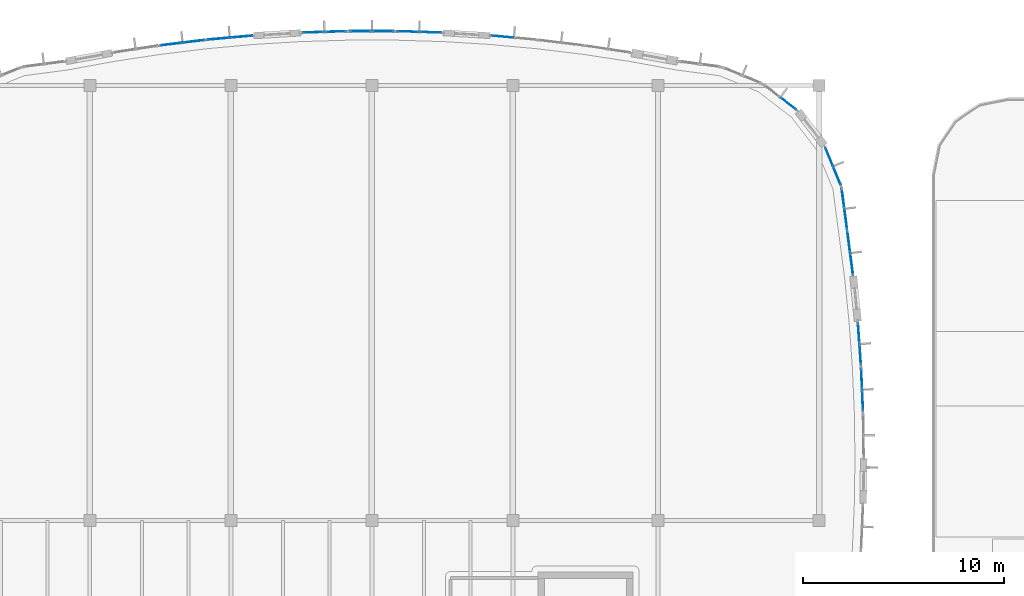
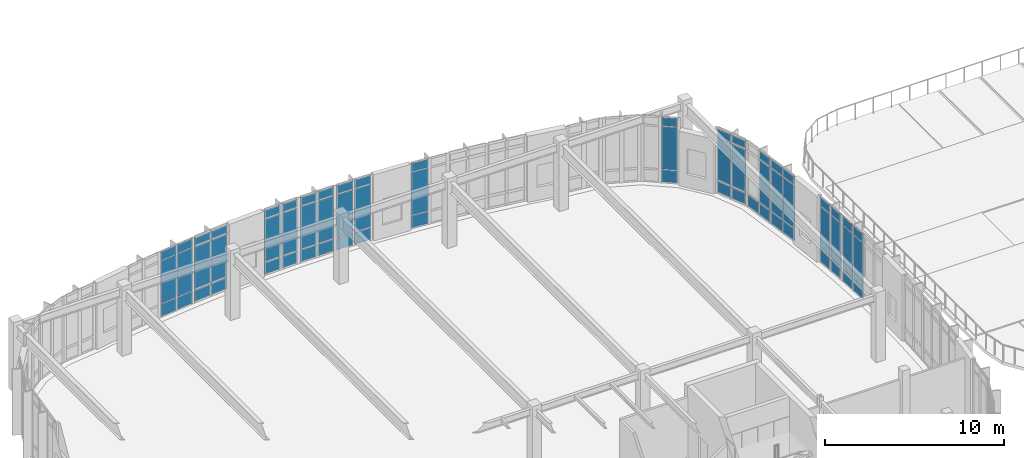
# One storey, part 78 of 120: 64 plates, 12 elements without a shape of their own.
"""IFC4 building model written with IfcOpenShell, lengths in metres."""

from ifc_helpers import new_model, si_unit, direction, frame, origin, origin_2d, place, context, subcontext, project, spatial, rectangle, extrude, material, layer, layer_set, type_object, element, aggregate, save


model = new_model("IFC4")

# Units and contexts
model_context = context("Model", 3, precision=1e-05, world=origin(), true_north=direction((0.0, 1.0)))
body_context = subcontext(model_context, "Body", "Model", "MODEL_VIEW")
ifc_project = project(units=[si_unit("LENGTHUNIT", "METRE"), si_unit("AREAUNIT", "SQUARE_METRE"), si_unit("VOLUMEUNIT", "CUBIC_METRE"), si_unit("PLANEANGLEUNIT", "RADIAN"), si_unit("MASSUNIT", "GRAM", prefix="KILO")], contexts=[model_context])

# Site, building, storey
site_placement = place(None, origin())
site = spatial("IfcSite", under=ifc_project, at=site_placement, CompositionType="ELEMENT")
building_placement = place(site_placement, origin())
building = spatial("IfcBuilding", under=site, at=building_placement, Name="Corveleigh Park Community Centre", CompositionType="ELEMENT")
storey_placement = place(building_placement, origin())
storey = spatial("IfcBuildingStorey", under=building, at=storey_placement, Name="L00", CompositionType="ELEMENT", Elevation=0.0)

# Curtain wall, plates
ifc_material_1 = material(Name="Anodised aluminium 6063-T6", Category="aluminium")
curtain_wall_type = type_object("IfcCurtainWallType", Name="CW-SYS-V2-L00", PredefinedType="NOTDEFINED", material=ifc_material_1)
curtain_wall_1_placement = place(storey_placement, origin())
curtain_wall_1 = element("IfcCurtainWall", 1, at=curtain_wall_1_placement, inside=storey, type_object=curtain_wall_type, Name="V2 L00 Curtain Wall 51", PredefinedType="NOTDEFINED")
ifc_material_2 = material(Name="Low-E double glazing", Category="glass")
ifc_layer_1 = layer(ifc_material_2, 0.028076171875, Name="Low-E double glazing", Category="glass")
ifc_layer_set_1 = layer_set([ifc_layer_1], Name="Low-E double glazing")
plate_type_1 = type_object("IfcPlateType", Name="CWP-GLZ-28", PredefinedType="CURTAIN_PANEL", material=ifc_layer_set_1)
plate_1_placement = place(storey_placement, frame((38.68603515625, 116.821533203125, 0.06005859375), z_axis=(0.0, 0.0, 1.0), x_axis=(0.995872123077, -0.090767364607, 0.0)))
plate_1 = element("IfcPlate", 2, at=plate_1_placement, type_object=plate_type_1, Name="CW03 panel 1.1", PredefinedType="CURTAIN_PANEL", context=body_context, shape_type="SweptSolid", body=[
    extrude(rectangle(XDim=1.062744140625, YDim=0.028076171875, at=origin_2d()), origin(), (0.0, 0.0, 1.0), 0.81005859375),
])
plate_2_placement = place(storey_placement, frame((38.68603515625, 116.821533203125, 0.93017578125), z_axis=(0.0, 0.0, 1.0), x_axis=(0.995872123077, -0.090767364607, 0.0)))
plate_2 = element("IfcPlate", 3, at=plate_2_placement, type_object=plate_type_1, Name="CW03 panel 1.2", PredefinedType="CURTAIN_PANEL", context=body_context, shape_type="SweptSolid", body=[
    extrude(rectangle(XDim=1.062744140625, YDim=0.028076171875, at=origin_2d()), origin(), (0.0, 0.0, 1.0), 2.902099609375),
])
plate_3_placement = place(storey_placement, frame((38.68603515625, 116.821533203125, 3.89208984375), z_axis=(0.0, 0.0, 1.0), x_axis=(0.995872123077, -0.090767364607, 0.0)))
plate_3 = element("IfcPlate", 4, at=plate_3_placement, type_object=plate_type_1, Name="CW03 panel 1.3", PredefinedType="CURTAIN_PANEL", context=body_context, shape_type="SweptSolid", body=[
    extrude(rectangle(XDim=1.062744140625, YDim=0.028076171875, at=origin_2d()), origin(), (0.0, 0.0, 1.0), 0.56005859375),
])
aggregate(curtain_wall_1, [plate_1, plate_2, plate_3])

curtain_wall_2_placement = place(storey_placement, origin())
curtain_wall_2 = element("IfcCurtainWall", 5, at=curtain_wall_2_placement, inside=storey, type_object=curtain_wall_type, Name="V2 L00 Curtain Wall 52", PredefinedType="NOTDEFINED")
plate_4_placement = place(storey_placement, frame((33.98828125, 117.07177734375, 0.06494140625), z_axis=(0.0, 0.0, 1.0), x_axis=(0.999537636318, -0.030405814978, 0.0)))
plate_4 = element("IfcPlate", 6, at=plate_4_placement, type_object=plate_type_1, Name="CW03 panel 1.1", PredefinedType="CURTAIN_PANEL", context=body_context, shape_type="SweptSolid", body=[
    extrude(rectangle(XDim=1.054931640625, YDim=0.028076171875, at=origin_2d()), origin(), (0.0, 0.0, 1.0), 0.802490234375),
])
plate_5_placement = place(storey_placement, frame((33.98828125, 117.07177734375, 0.9326171875), z_axis=(0.0, 0.0, 1.0), x_axis=(0.999537636318, -0.030405814978, 0.0)))
plate_5 = element("IfcPlate", 7, at=plate_5_placement, type_object=plate_type_1, Name="CW03 panel 1.2", PredefinedType="CURTAIN_PANEL", context=body_context, shape_type="SweptSolid", body=[
    extrude(rectangle(XDim=1.054931640625, YDim=0.028076171875, at=origin_2d()), origin(), (0.0, 0.0, 1.0), 2.89697265625),
])
plate_6_placement = place(storey_placement, frame((33.98828125, 117.07177734375, 3.89453125), z_axis=(0.0, 0.0, 1.0), x_axis=(0.999537636318, -0.030405814978, 0.0)))
plate_6 = element("IfcPlate", 8, at=plate_6_placement, type_object=plate_type_1, Name="CW03 panel 1.3", PredefinedType="CURTAIN_PANEL", context=body_context, shape_type="SweptSolid", body=[
    extrude(rectangle(XDim=1.054931640625, YDim=0.028076171875, at=origin_2d()), origin(), (0.0, 0.0, 1.0), 0.552490234375),
])
plate_7_placement = place(storey_placement, frame((35.11767578125, 117.037353515625, 0.06494140625), z_axis=(0.0, 0.0, 1.0), x_axis=(0.999537636318, -0.030405814978, 0.0)))
plate_7 = element("IfcPlate", 9, at=plate_7_placement, type_object=plate_type_1, Name="CW03 panel 2.1", PredefinedType="CURTAIN_PANEL", context=body_context, shape_type="SweptSolid", body=[
    extrude(rectangle(XDim=1.054931640625, YDim=0.028076171875, at=origin_2d()), origin(), (0.0, 0.0, 1.0), 0.802490234375),
])
plate_8_placement = place(storey_placement, frame((35.11767578125, 117.037353515625, 0.9326171875), z_axis=(0.0, 0.0, 1.0), x_axis=(0.999537636318, -0.030405814978, 0.0)))
plate_8 = element("IfcPlate", 10, at=plate_8_placement, type_object=plate_type_1, Name="CW03 panel 2.2", PredefinedType="CURTAIN_PANEL", context=body_context, shape_type="SweptSolid", body=[
    extrude(rectangle(XDim=1.054931640625, YDim=0.028076171875, at=origin_2d()), origin(), (0.0, 0.0, 1.0), 2.89697265625),
])
plate_9_placement = place(storey_placement, frame((35.11767578125, 117.037353515625, 3.89453125), z_axis=(0.0, 0.0, 1.0), x_axis=(0.999537636318, -0.030405814978, 0.0)))
plate_9 = element("IfcPlate", 11, at=plate_9_placement, type_object=plate_type_1, Name="CW03 panel 2.3", PredefinedType="CURTAIN_PANEL", context=body_context, shape_type="SweptSolid", body=[
    extrude(rectangle(XDim=1.054931640625, YDim=0.028076171875, at=origin_2d()), origin(), (0.0, 0.0, 1.0), 0.552490234375),
])
aggregate(curtain_wall_2, [plate_4, plate_5, plate_6, plate_7, plate_8, plate_9])

curtain_wall_3_placement = place(storey_placement, origin())
curtain_wall_3 = element("IfcCurtainWall", 12, at=curtain_wall_3_placement, inside=storey, type_object=curtain_wall_type, Name="V2 L00 Curtain Wall 41", PredefinedType="NOTDEFINED")
ifc_layer_2 = layer(ifc_material_2, 0.031982421875, Name="Low-E double glazing", Category="glass")
ifc_layer_set_2 = layer_set([ifc_layer_2], Name="Low-E double glazing")
plate_type_2 = type_object("IfcPlateType", Name="CWP-GLZ-32", PredefinedType="CURTAIN_PANEL", material=ifc_layer_set_2)
plate_10_placement = place(storey_placement, frame((56.514404296875, 99.84228515625, 0.06005859375), z_axis=(0.0, 0.0, 1.0), x_axis=(0.043572286221, -0.99905027695, 0.0)))
plate_10 = element("IfcPlate", 13, at=plate_10_placement, type_object=plate_type_2, Name="CW03 panel 1.1", PredefinedType="CURTAIN_PANEL", context=body_context, shape_type="SweptSolid", body=[
    extrude(rectangle(XDim=1.004638671875, YDim=0.031982421875, at=origin_2d()), origin(), (0.0, 0.0, 1.0), 0.81005859375),
])
plate_11_placement = place(storey_placement, frame((56.514404296875, 99.84228515625, 0.93017578125), z_axis=(0.0, 0.0, 1.0), x_axis=(0.043572286221, -0.99905027695, 0.0)))
plate_11 = element("IfcPlate", 14, at=plate_11_placement, type_object=plate_type_2, Name="CW03 panel 1.2", PredefinedType="CURTAIN_PANEL", context=body_context, shape_type="SweptSolid", body=[
    extrude(rectangle(XDim=1.004638671875, YDim=0.031982421875, at=origin_2d()), origin(), (0.0, 0.0, 1.0), 2.902099609375),
])
plate_12_placement = place(storey_placement, frame((56.514404296875, 99.84228515625, 3.89208984375), z_axis=(0.0, 0.0, 1.0), x_axis=(0.043572286221, -0.99905027695, 0.0)))
plate_12 = element("IfcPlate", 15, at=plate_12_placement, type_object=plate_type_2, Name="CW03 panel 1.3", PredefinedType="CURTAIN_PANEL", context=body_context, shape_type="SweptSolid", body=[
    extrude(rectangle(XDim=1.004638671875, YDim=0.031982421875, at=origin_2d()), origin(), (0.0, 0.0, 1.0), 0.56005859375),
])
plate_13_placement = place(storey_placement, frame((56.5615234375, 98.7587890625, 0.06005859375), z_axis=(0.0, 0.0, 1.0), x_axis=(0.043572286221, -0.99905027695, 0.0)))
plate_13 = element("IfcPlate", 16, at=plate_13_placement, type_object=plate_type_2, Name="CW03 panel 2.1", PredefinedType="CURTAIN_PANEL", context=body_context, shape_type="SweptSolid", body=[
    extrude(rectangle(XDim=1.004638671875, YDim=0.031982421875, at=origin_2d()), origin(), (0.0, 0.0, 1.0), 0.81005859375),
])
plate_14_placement = place(storey_placement, frame((56.5615234375, 98.7587890625, 0.93017578125), z_axis=(0.0, 0.0, 1.0), x_axis=(0.043572286221, -0.99905027695, 0.0)))
plate_14 = element("IfcPlate", 17, at=plate_14_placement, type_object=plate_type_2, Name="CW03 panel 2.2", PredefinedType="CURTAIN_PANEL", context=body_context, shape_type="SweptSolid", body=[
    extrude(rectangle(XDim=1.004638671875, YDim=0.031982421875, at=origin_2d()), origin(), (0.0, 0.0, 1.0), 2.902099609375),
])
plate_15_placement = place(storey_placement, frame((56.5615234375, 98.7587890625, 3.89208984375), z_axis=(0.0, 0.0, 1.0), x_axis=(0.043572286221, -0.99905027695, 0.0)))
plate_15 = element("IfcPlate", 18, at=plate_15_placement, type_object=plate_type_2, Name="CW03 panel 2.3", PredefinedType="CURTAIN_PANEL", context=body_context, shape_type="SweptSolid", body=[
    extrude(rectangle(XDim=1.004638671875, YDim=0.031982421875, at=origin_2d()), origin(), (0.0, 0.0, 1.0), 0.56005859375),
])
aggregate(curtain_wall_3, [plate_10, plate_11, plate_12, plate_13, plate_14, plate_15])

curtain_wall_4_placement = place(storey_placement, origin())
curtain_wall_4 = element("IfcCurtainWall", 19, at=curtain_wall_4_placement, inside=storey, type_object=curtain_wall_type, Name="V2 L00 Curtain Wall 42", PredefinedType="NOTDEFINED")
plate_16_placement = place(storey_placement, frame((56.367919921875, 102.103759765625, 0.06494140625), z_axis=(0.0, 0.0, 1.0), x_axis=(0.072005120539, -0.997404262381, 0.0)))
plate_16 = element("IfcPlate", 20, at=plate_16_placement, type_object=plate_type_2, Name="CW03 panel 1.1", PredefinedType="CURTAIN_PANEL", context=body_context, shape_type="SweptSolid", body=[
    extrude(rectangle(XDim=0.997314453125, YDim=0.031982421875, at=origin_2d()), origin(), (0.0, 0.0, 1.0), 0.802490234375),
])
plate_17_placement = place(storey_placement, frame((56.367919921875, 102.103759765625, 0.9326171875), z_axis=(0.0, 0.0, 1.0), x_axis=(0.072005120539, -0.997404262381, 0.0)))
plate_17 = element("IfcPlate", 21, at=plate_17_placement, type_object=plate_type_2, Name="CW03 panel 1.2", PredefinedType="CURTAIN_PANEL", context=body_context, shape_type="SweptSolid", body=[
    extrude(rectangle(XDim=0.997314453125, YDim=0.031982421875, at=origin_2d()), origin(), (0.0, 0.0, 1.0), 2.89697265625),
])
plate_18_placement = place(storey_placement, frame((56.367919921875, 102.103759765625, 3.89453125), z_axis=(0.0, 0.0, 1.0), x_axis=(0.072005120539, -0.997404262381, 0.0)))
plate_18 = element("IfcPlate", 22, at=plate_18_placement, type_object=plate_type_2, Name="CW03 panel 1.3", PredefinedType="CURTAIN_PANEL", context=body_context, shape_type="SweptSolid", body=[
    extrude(rectangle(XDim=0.997314453125, YDim=0.031982421875, at=origin_2d()), origin(), (0.0, 0.0, 1.0), 0.552490234375),
])
plate_19_placement = place(storey_placement, frame((56.446044921875, 101.024169921875, 0.06494140625), z_axis=(0.0, 0.0, 1.0), x_axis=(0.072005120539, -0.997404262381, 0.0)))
plate_19 = element("IfcPlate", 23, at=plate_19_placement, type_object=plate_type_2, Name="CW03 panel 2.1", PredefinedType="CURTAIN_PANEL", context=body_context, shape_type="SweptSolid", body=[
    extrude(rectangle(XDim=0.997314453125, YDim=0.031982421875, at=origin_2d()), origin(), (0.0, 0.0, 1.0), 0.802490234375),
])
plate_20_placement = place(storey_placement, frame((56.446044921875, 101.024169921875, 0.9326171875), z_axis=(0.0, 0.0, 1.0), x_axis=(0.072005120539, -0.997404262381, 0.0)))
plate_20 = element("IfcPlate", 24, at=plate_20_placement, type_object=plate_type_2, Name="CW03 panel 2.2", PredefinedType="CURTAIN_PANEL", context=body_context, shape_type="SweptSolid", body=[
    extrude(rectangle(XDim=0.997314453125, YDim=0.031982421875, at=origin_2d()), origin(), (0.0, 0.0, 1.0), 2.89697265625),
])
plate_21_placement = place(storey_placement, frame((56.446044921875, 101.024169921875, 3.89453125), z_axis=(0.0, 0.0, 1.0), x_axis=(0.072005120539, -0.997404262381, 0.0)))
plate_21 = element("IfcPlate", 25, at=plate_21_placement, type_object=plate_type_2, Name="CW03 panel 2.3", PredefinedType="CURTAIN_PANEL", context=body_context, shape_type="SweptSolid", body=[
    extrude(rectangle(XDim=0.997314453125, YDim=0.031982421875, at=origin_2d()), origin(), (0.0, 0.0, 1.0), 0.552490234375),
])
aggregate(curtain_wall_4, [plate_16, plate_17, plate_18, plate_19, plate_20, plate_21])

curtain_wall_5_placement = place(storey_placement, origin())
curtain_wall_5 = element("IfcCurtainWall", 26, at=curtain_wall_5_placement, inside=storey, type_object=curtain_wall_type, Name="V2 L00 Curtain Wall 53", PredefinedType="NOTDEFINED")
plate_22_placement = place(storey_placement, frame((31.635986328125, 117.090087890625, 0.070068359375), z_axis=(0.0, 0.0, 1.0), x_axis=(1.0, 0.0, 0.0)))
plate_22 = element("IfcPlate", 27, at=plate_22_placement, type_object=plate_type_2, Name="CW03 panel 1.1", PredefinedType="CURTAIN_PANEL", context=body_context, shape_type="SweptSolid", body=[
    extrude(rectangle(XDim=1.048095703125, YDim=0.031982421875, at=origin_2d()), origin(), (0.0, 0.0, 1.0), 0.794921875),
])
plate_23_placement = place(storey_placement, frame((31.635986328125, 117.090087890625, 0.93505859375), z_axis=(0.0, 0.0, 1.0), x_axis=(1.0, 0.0, 0.0)))
plate_23 = element("IfcPlate", 28, at=plate_23_placement, type_object=plate_type_2, Name="CW03 panel 1.2", PredefinedType="CURTAIN_PANEL", context=body_context, shape_type="SweptSolid", body=[
    extrude(rectangle(XDim=1.048095703125, YDim=0.031982421875, at=origin_2d()), origin(), (0.0, 0.0, 1.0), 2.89208984375),
])
plate_24_placement = place(storey_placement, frame((31.635986328125, 117.090087890625, 3.89697265625), z_axis=(0.0, 0.0, 1.0), x_axis=(1.0, 0.0, 0.0)))
plate_24 = element("IfcPlate", 29, at=plate_24_placement, type_object=plate_type_2, Name="CW03 panel 1.3", PredefinedType="CURTAIN_PANEL", context=body_context, shape_type="SweptSolid", body=[
    extrude(rectangle(XDim=1.048095703125, YDim=0.031982421875, at=origin_2d()), origin(), (0.0, 0.0, 1.0), 0.544921875),
])
plate_25_placement = place(storey_placement, frame((32.763916015625, 117.090087890625, 0.070068359375), z_axis=(0.0, 0.0, 1.0), x_axis=(1.0, 0.0, 0.0)))
plate_25 = element("IfcPlate", 30, at=plate_25_placement, type_object=plate_type_2, Name="CW03 panel 2.1", PredefinedType="CURTAIN_PANEL", context=body_context, shape_type="SweptSolid", body=[
    extrude(rectangle(XDim=1.048095703125, YDim=0.031982421875, at=origin_2d()), origin(), (0.0, 0.0, 1.0), 0.794921875),
])
plate_26_placement = place(storey_placement, frame((32.763916015625, 117.090087890625, 0.93505859375), z_axis=(0.0, 0.0, 1.0), x_axis=(1.0, 0.0, 0.0)))
plate_26 = element("IfcPlate", 31, at=plate_26_placement, type_object=plate_type_2, Name="CW03 panel 2.2", PredefinedType="CURTAIN_PANEL", context=body_context, shape_type="SweptSolid", body=[
    extrude(rectangle(XDim=1.048095703125, YDim=0.031982421875, at=origin_2d()), origin(), (0.0, 0.0, 1.0), 2.89208984375),
])
plate_27_placement = place(storey_placement, frame((32.763916015625, 117.090087890625, 3.89697265625), z_axis=(0.0, 0.0, 1.0), x_axis=(1.0, 0.0, 0.0)))
plate_27 = element("IfcPlate", 32, at=plate_27_placement, type_object=plate_type_2, Name="CW03 panel 2.3", PredefinedType="CURTAIN_PANEL", context=body_context, shape_type="SweptSolid", body=[
    extrude(rectangle(XDim=1.048095703125, YDim=0.031982421875, at=origin_2d()), origin(), (0.0, 0.0, 1.0), 0.544921875),
])
aggregate(curtain_wall_5, [plate_22, plate_23, plate_24, plate_25, plate_26, plate_27])

curtain_wall_6_placement = place(storey_placement, origin())
curtain_wall_6 = element("IfcCurtainWall", 33, at=curtain_wall_6_placement, inside=storey, type_object=curtain_wall_type, Name="V2 L00 Curtain Wall 54", PredefinedType="NOTDEFINED")
plate_28_placement = place(storey_placement, frame((29.28466796875, 117.037353515625, 0.074951171875), z_axis=(0.0, 0.0, 1.0), x_axis=(0.999537636318, 0.030405814978, 0.0)))
plate_28 = element("IfcPlate", 34, at=plate_28_placement, type_object=plate_type_2, Name="CW03 panel 1.1", PredefinedType="CURTAIN_PANEL", context=body_context, shape_type="SweptSolid", body=[
    extrude(rectangle(XDim=1.0400390625, YDim=0.031982421875, at=origin_2d()), origin(), (0.0, 0.0, 1.0), 0.78759765625),
])
plate_29_placement = place(storey_placement, frame((29.28466796875, 117.037353515625, 0.9375), z_axis=(0.0, 0.0, 1.0), x_axis=(0.999537636318, 0.030405814978, 0.0)))
plate_29 = element("IfcPlate", 35, at=plate_29_placement, type_object=plate_type_2, Name="CW03 panel 1.2", PredefinedType="CURTAIN_PANEL", context=body_context, shape_type="SweptSolid", body=[
    extrude(rectangle(XDim=1.0400390625, YDim=0.031982421875, at=origin_2d()), origin(), (0.0, 0.0, 1.0), 2.886962890625),
])
plate_30_placement = place(storey_placement, frame((29.28466796875, 117.037353515625, 3.8994140625), z_axis=(0.0, 0.0, 1.0), x_axis=(0.999537636318, 0.030405814978, 0.0)))
plate_30 = element("IfcPlate", 36, at=plate_30_placement, type_object=plate_type_2, Name="CW03 panel 1.3", PredefinedType="CURTAIN_PANEL", context=body_context, shape_type="SweptSolid", body=[
    extrude(rectangle(XDim=1.0400390625, YDim=0.031982421875, at=origin_2d()), origin(), (0.0, 0.0, 1.0), 0.53759765625),
])
plate_31_placement = place(storey_placement, frame((30.4091796875, 117.071533203125, 0.074951171875), z_axis=(0.0, 0.0, 1.0), x_axis=(0.999537636318, 0.030405814978, 0.0)))
plate_31 = element("IfcPlate", 37, at=plate_31_placement, type_object=plate_type_2, Name="CW03 panel 2.1", PredefinedType="CURTAIN_PANEL", context=body_context, shape_type="SweptSolid", body=[
    extrude(rectangle(XDim=1.0400390625, YDim=0.031982421875, at=origin_2d()), origin(), (0.0, 0.0, 1.0), 0.78759765625),
])
plate_32_placement = place(storey_placement, frame((30.4091796875, 117.071533203125, 0.9375), z_axis=(0.0, 0.0, 1.0), x_axis=(0.999537636318, 0.030405814978, 0.0)))
plate_32 = element("IfcPlate", 38, at=plate_32_placement, type_object=plate_type_2, Name="CW03 panel 2.2", PredefinedType="CURTAIN_PANEL", context=body_context, shape_type="SweptSolid", body=[
    extrude(rectangle(XDim=1.0400390625, YDim=0.031982421875, at=origin_2d()), origin(), (0.0, 0.0, 1.0), 2.886962890625),
])
plate_33_placement = place(storey_placement, frame((30.4091796875, 117.071533203125, 3.8994140625), z_axis=(0.0, 0.0, 1.0), x_axis=(0.999537636318, 0.030405814978, 0.0)))
plate_33 = element("IfcPlate", 39, at=plate_33_placement, type_object=plate_type_2, Name="CW03 panel 2.3", PredefinedType="CURTAIN_PANEL", context=body_context, shape_type="SweptSolid", body=[
    extrude(rectangle(XDim=1.0400390625, YDim=0.031982421875, at=origin_2d()), origin(), (0.0, 0.0, 1.0), 0.53759765625),
])
aggregate(curtain_wall_6, [plate_28, plate_29, plate_30, plate_31, plate_32, plate_33])

curtain_wall_7_placement = place(storey_placement, origin())
curtain_wall_7 = element("IfcCurtainWall", 40, at=curtain_wall_7_placement, inside=storey, type_object=curtain_wall_type, Name="V2 L00 Curtain Wall 43", PredefinedType="NOTDEFINED")
ifc_layer_3 = layer(ifc_material_2, 0.035888671875, Name="Low-E double glazing", Category="glass")
ifc_layer_set_3 = layer_set([ifc_layer_3], Name="Low-E double glazing")
plate_type_3 = type_object("IfcPlateType", Name="CWP-GLZ-36", PredefinedType="CURTAIN_PANEL", material=ifc_layer_set_3)
plate_34_placement = place(storey_placement, frame((55.876220703125, 106.62060546875, 0.070068359375), z_axis=(0.0, 0.0, 1.0), x_axis=(0.13004118961, -0.991508592502, 0.0)))
plate_34 = element("IfcPlate", 41, at=plate_34_placement, type_object=plate_type_3, Name="CW03 panel 1.1", PredefinedType="CURTAIN_PANEL", context=body_context, shape_type="SweptSolid", body=[
    extrude(rectangle(XDim=1.03662109375, YDim=0.035888671875, at=origin_2d()), origin(), (0.0, 0.0, 1.0), 0.794921875),
])
plate_35_placement = place(storey_placement, frame((55.876220703125, 106.62060546875, 0.93505859375), z_axis=(0.0, 0.0, 1.0), x_axis=(0.13004118961, -0.991508592502, 0.0)))
plate_35 = element("IfcPlate", 42, at=plate_35_placement, type_object=plate_type_3, Name="CW03 panel 1.2", PredefinedType="CURTAIN_PANEL", context=body_context, shape_type="SweptSolid", body=[
    extrude(rectangle(XDim=1.03662109375, YDim=0.035888671875, at=origin_2d()), origin(), (0.0, 0.0, 1.0), 2.89208984375),
])
plate_36_placement = place(storey_placement, frame((55.876220703125, 106.62060546875, 3.89697265625), z_axis=(0.0, 0.0, 1.0), x_axis=(0.13004118961, -0.991508592502, 0.0)))
plate_36 = element("IfcPlate", 43, at=plate_36_placement, type_object=plate_type_3, Name="CW03 panel 1.3", PredefinedType="CURTAIN_PANEL", context=body_context, shape_type="SweptSolid", body=[
    extrude(rectangle(XDim=1.03662109375, YDim=0.035888671875, at=origin_2d()), origin(), (0.0, 0.0, 1.0), 0.544921875),
])
plate_37_placement = place(storey_placement, frame((56.018798828125, 105.533447265625, 0.070068359375), z_axis=(0.0, 0.0, 1.0), x_axis=(0.13004118961, -0.991508592502, 0.0)))
plate_37 = element("IfcPlate", 44, at=plate_37_placement, type_object=plate_type_3, Name="CW03 panel 2.1", PredefinedType="CURTAIN_PANEL", context=body_context, shape_type="SweptSolid", body=[
    extrude(rectangle(XDim=1.03662109375, YDim=0.035888671875, at=origin_2d()), origin(), (0.0, 0.0, 1.0), 0.794921875),
])
plate_38_placement = place(storey_placement, frame((56.018798828125, 105.533447265625, 0.93505859375), z_axis=(0.0, 0.0, 1.0), x_axis=(0.13004118961, -0.991508592502, 0.0)))
plate_38 = element("IfcPlate", 45, at=plate_38_placement, type_object=plate_type_3, Name="CW03 panel 2.2", PredefinedType="CURTAIN_PANEL", context=body_context, shape_type="SweptSolid", body=[
    extrude(rectangle(XDim=1.03662109375, YDim=0.035888671875, at=origin_2d()), origin(), (0.0, 0.0, 1.0), 2.89208984375),
])
plate_39_placement = place(storey_placement, frame((56.018798828125, 105.533447265625, 3.89697265625), z_axis=(0.0, 0.0, 1.0), x_axis=(0.13004118961, -0.991508592502, 0.0)))
plate_39 = element("IfcPlate", 46, at=plate_39_placement, type_object=plate_type_3, Name="CW03 panel 2.3", PredefinedType="CURTAIN_PANEL", context=body_context, shape_type="SweptSolid", body=[
    extrude(rectangle(XDim=1.03662109375, YDim=0.035888671875, at=origin_2d()), origin(), (0.0, 0.0, 1.0), 0.544921875),
])
aggregate(curtain_wall_7, [plate_34, plate_35, plate_36, plate_37, plate_38, plate_39])

curtain_wall_8_placement = place(storey_placement, origin())
curtain_wall_8 = element("IfcCurtainWall", 47, at=curtain_wall_8_placement, inside=storey, type_object=curtain_wall_type, Name="V2 L00 Curtain Wall 44", PredefinedType="NOTDEFINED")
plate_40_placement = place(storey_placement, frame((55.59033203125, 108.7919921875, 0.074951171875), z_axis=(0.0, 0.0, 1.0), x_axis=(0.130430498525, -0.99145745499, 0.0)))
plate_40 = element("IfcPlate", 48, at=plate_40_placement, type_object=plate_type_3, Name="CW03 panel 1.1", PredefinedType="CURTAIN_PANEL", context=body_context, shape_type="SweptSolid", body=[
    extrude(rectangle(XDim=0.979736328125, YDim=0.035888671875, at=origin_2d()), origin(), (0.0, 0.0, 1.0), 0.78759765625),
])
plate_41_placement = place(storey_placement, frame((55.7265625, 107.756103515625, 0.074951171875), z_axis=(0.0, 0.0, 1.0), x_axis=(0.130430498525, -0.99145745499, 0.0)))
plate_41 = element("IfcPlate", 49, at=plate_41_placement, type_object=plate_type_3, Name="CW03 panel 2.1", PredefinedType="CURTAIN_PANEL", context=body_context, shape_type="SweptSolid", body=[
    extrude(rectangle(XDim=0.979736328125, YDim=0.035888671875, at=origin_2d()), origin(), (0.0, 0.0, 1.0), 0.78759765625),
])
plate_42_placement = place(storey_placement, frame((55.7265625, 107.756103515625, 0.9375), z_axis=(0.0, 0.0, 1.0), x_axis=(0.130430498525, -0.99145745499, 0.0)))
plate_42 = element("IfcPlate", 50, at=plate_42_placement, type_object=plate_type_3, Name="CW03 panel 2.2", PredefinedType="CURTAIN_PANEL", context=body_context, shape_type="SweptSolid", body=[
    extrude(rectangle(XDim=0.979736328125, YDim=0.035888671875, at=origin_2d()), origin(), (0.0, 0.0, 1.0), 2.886962890625),
])
plate_43_placement = place(storey_placement, frame((55.7265625, 107.756103515625, 3.8994140625), z_axis=(0.0, 0.0, 1.0), x_axis=(0.130430498525, -0.99145745499, 0.0)))
plate_43 = element("IfcPlate", 51, at=plate_43_placement, type_object=plate_type_3, Name="CW03 panel 2.3", PredefinedType="CURTAIN_PANEL", context=body_context, shape_type="SweptSolid", body=[
    extrude(rectangle(XDim=0.979736328125, YDim=0.035888671875, at=origin_2d()), origin(), (0.0, 0.0, 1.0), 0.53759765625),
])
aggregate(curtain_wall_8, [plate_40, plate_41, plate_42, plate_43])

curtain_wall_9_placement = place(storey_placement, origin())
curtain_wall_9 = element("IfcCurtainWall", 52, at=curtain_wall_9_placement, inside=storey, type_object=curtain_wall_type, Name="V2 L00 Curtain Wall 55", PredefinedType="NOTDEFINED")
plate_44_placement = place(storey_placement, frame((24.58349609375, 116.71826171875, 0.080078125), z_axis=(0.0, 0.0, 1.0), x_axis=(0.995872123077, 0.090767364607, 0.0)))
plate_44 = element("IfcPlate", 53, at=plate_44_placement, type_object=plate_type_3, Name="CW03 panel 1.1", PredefinedType="CURTAIN_PANEL", context=body_context, shape_type="SweptSolid", body=[
    extrude(rectangle(XDim=1.077880859375, YDim=0.035888671875, at=origin_2d()), origin(), (0.0, 0.0, 1.0), 0.780029296875),
])
plate_45_placement = place(storey_placement, frame((24.58349609375, 116.71826171875, 0.93994140625), z_axis=(0.0, 0.0, 1.0), x_axis=(0.995872123077, 0.090767364607, 0.0)))
plate_45 = element("IfcPlate", 54, at=plate_45_placement, type_object=plate_type_3, Name="CW03 panel 1.2", PredefinedType="CURTAIN_PANEL", context=body_context, shape_type="SweptSolid", body=[
    extrude(rectangle(XDim=1.077880859375, YDim=0.035888671875, at=origin_2d()), origin(), (0.0, 0.0, 1.0), 2.882080078125),
])
plate_46_placement = place(storey_placement, frame((24.58349609375, 116.71826171875, 3.90185546875), z_axis=(0.0, 0.0, 1.0), x_axis=(0.995872123077, 0.090767364607, 0.0)))
plate_46 = element("IfcPlate", 55, at=plate_46_placement, type_object=plate_type_3, Name="CW03 panel 1.3", PredefinedType="CURTAIN_PANEL", context=body_context, shape_type="SweptSolid", body=[
    extrude(rectangle(XDim=1.077880859375, YDim=0.035888671875, at=origin_2d()), origin(), (0.0, 0.0, 1.0), 0.530029296875),
])
plate_47_placement = place(storey_placement, frame((25.716552734375, 116.821533203125, 0.080078125), z_axis=(0.0, 0.0, 1.0), x_axis=(0.995872123077, 0.090767364607, 0.0)))
plate_47 = element("IfcPlate", 56, at=plate_47_placement, type_object=plate_type_3, Name="CW03 panel 2.1", PredefinedType="CURTAIN_PANEL", context=body_context, shape_type="SweptSolid", body=[
    extrude(rectangle(XDim=1.077880859375, YDim=0.035888671875, at=origin_2d()), origin(), (0.0, 0.0, 1.0), 0.780029296875),
])
plate_48_placement = place(storey_placement, frame((25.716552734375, 116.821533203125, 0.93994140625), z_axis=(0.0, 0.0, 1.0), x_axis=(0.995872123077, 0.090767364607, 0.0)))
plate_48 = element("IfcPlate", 57, at=plate_48_placement, type_object=plate_type_3, Name="CW03 panel 2.2", PredefinedType="CURTAIN_PANEL", context=body_context, shape_type="SweptSolid", body=[
    extrude(rectangle(XDim=1.077880859375, YDim=0.035888671875, at=origin_2d()), origin(), (0.0, 0.0, 1.0), 2.882080078125),
])
plate_49_placement = place(storey_placement, frame((25.716552734375, 116.821533203125, 3.90185546875), z_axis=(0.0, 0.0, 1.0), x_axis=(0.995872123077, 0.090767364607, 0.0)))
plate_49 = element("IfcPlate", 58, at=plate_49_placement, type_object=plate_type_3, Name="CW03 panel 2.3", PredefinedType="CURTAIN_PANEL", context=body_context, shape_type="SweptSolid", body=[
    extrude(rectangle(XDim=1.077880859375, YDim=0.035888671875, at=origin_2d()), origin(), (0.0, 0.0, 1.0), 0.530029296875),
])
aggregate(curtain_wall_9, [plate_44, plate_45, plate_46, plate_47, plate_48, plate_49])

curtain_wall_10_placement = place(storey_placement, origin())
curtain_wall_10 = element("IfcCurtainWall", 59, at=curtain_wall_10_placement, inside=storey, type_object=curtain_wall_type, Name="V2 L00 Curtain Wall 56", PredefinedType="NOTDEFINED")
plate_50_placement = place(storey_placement, frame((22.245849609375, 116.452392578125, 0.06005859375), z_axis=(0.0, 0.0, 1.0), x_axis=(0.992687221046, 0.120714875524, 0.0)))
plate_50 = element("IfcPlate", 60, at=plate_50_placement, type_object=plate_type_3, Name="CW03 panel 1.1", PredefinedType="CURTAIN_PANEL", context=body_context, shape_type="SweptSolid", body=[
    extrude(rectangle(XDim=1.070556640625, YDim=0.035888671875, at=origin_2d()), origin(), (0.0, 0.0, 1.0), 0.81005859375),
])
plate_51_placement = place(storey_placement, frame((22.245849609375, 116.452392578125, 0.93017578125), z_axis=(0.0, 0.0, 1.0), x_axis=(0.992687221046, 0.120714875524, 0.0)))
plate_51 = element("IfcPlate", 61, at=plate_51_placement, type_object=plate_type_3, Name="CW03 panel 1.2", PredefinedType="CURTAIN_PANEL", context=body_context, shape_type="SweptSolid", body=[
    extrude(rectangle(XDim=1.070556640625, YDim=0.035888671875, at=origin_2d()), origin(), (0.0, 0.0, 1.0), 2.902099609375),
])
plate_52_placement = place(storey_placement, frame((22.245849609375, 116.452392578125, 3.89208984375), z_axis=(0.0, 0.0, 1.0), x_axis=(0.992687221046, 0.120714875524, 0.0)))
plate_52 = element("IfcPlate", 62, at=plate_52_placement, type_object=plate_type_3, Name="CW03 panel 1.3", PredefinedType="CURTAIN_PANEL", context=body_context, shape_type="SweptSolid", body=[
    extrude(rectangle(XDim=1.070556640625, YDim=0.035888671875, at=origin_2d()), origin(), (0.0, 0.0, 1.0), 0.56005859375),
])
plate_53_placement = place(storey_placement, frame((23.373046875, 116.589599609375, 0.06005859375), z_axis=(0.0, 0.0, 1.0), x_axis=(0.992687221046, 0.120714875524, 0.0)))
plate_53 = element("IfcPlate", 63, at=plate_53_placement, type_object=plate_type_3, Name="CW03 panel 2.1", PredefinedType="CURTAIN_PANEL", context=body_context, shape_type="SweptSolid", body=[
    extrude(rectangle(XDim=1.070556640625, YDim=0.035888671875, at=origin_2d()), origin(), (0.0, 0.0, 1.0), 0.81005859375),
])
plate_54_placement = place(storey_placement, frame((23.373046875, 116.589599609375, 0.93017578125), z_axis=(0.0, 0.0, 1.0), x_axis=(0.992687221046, 0.120714875524, 0.0)))
plate_54 = element("IfcPlate", 64, at=plate_54_placement, type_object=plate_type_3, Name="CW03 panel 2.2", PredefinedType="CURTAIN_PANEL", context=body_context, shape_type="SweptSolid", body=[
    extrude(rectangle(XDim=1.070556640625, YDim=0.035888671875, at=origin_2d()), origin(), (0.0, 0.0, 1.0), 2.902099609375),
])
plate_55_placement = place(storey_placement, frame((23.373046875, 116.589599609375, 3.89208984375), z_axis=(0.0, 0.0, 1.0), x_axis=(0.992687221046, 0.120714875524, 0.0)))
plate_55 = element("IfcPlate", 65, at=plate_55_placement, type_object=plate_type_3, Name="CW03 panel 2.3", PredefinedType="CURTAIN_PANEL", context=body_context, shape_type="SweptSolid", body=[
    extrude(rectangle(XDim=1.070556640625, YDim=0.035888671875, at=origin_2d()), origin(), (0.0, 0.0, 1.0), 0.56005859375),
])
aggregate(curtain_wall_10, [plate_50, plate_51, plate_52, plate_53, plate_54, plate_55])

curtain_wall_11_placement = place(storey_placement, origin())
curtain_wall_11 = element("IfcCurtainWall", 66, at=curtain_wall_11_placement, inside=storey, type_object=curtain_wall_type, Name="V2 L00 Curtain Wall 45", PredefinedType="NOTDEFINED")
ifc_layer_4 = layer(ifc_material_2, 0.0400390625, Name="Low-E double glazing", Category="glass")
ifc_layer_set_4 = layer_set([ifc_layer_4], Name="Low-E double glazing")
plate_type_4 = type_object("IfcPlateType", Name="CWP-GLZ-40", PredefinedType="CURTAIN_PANEL", material=ifc_layer_set_4)
plate_56_placement = place(storey_placement, frame((54.8974609375, 110.8623046875, 0.080078125), z_axis=(0.0, 0.0, 1.0), x_axis=(0.382946568059, -0.923770494231, 0.0)))
plate_56 = element("IfcPlate", 67, at=plate_56_placement, type_object=plate_type_4, Name="CW03 panel 1.1", PredefinedType="CURTAIN_PANEL", context=body_context, shape_type="SweptSolid", body=[
    extrude(rectangle(XDim=0.959228515625, YDim=0.0400390625, at=origin_2d()), origin(), (0.0, 0.0, 1.0), 0.780029296875),
])
plate_57_placement = place(storey_placement, frame((54.8974609375, 110.8623046875, 0.93994140625), z_axis=(0.0, 0.0, 1.0), x_axis=(0.382946568059, -0.923770494231, 0.0)))
plate_57 = element("IfcPlate", 68, at=plate_57_placement, type_object=plate_type_4, Name="CW03 panel 1.2", PredefinedType="CURTAIN_PANEL", context=body_context, shape_type="SweptSolid", body=[
    extrude(rectangle(XDim=0.959228515625, YDim=0.0400390625, at=origin_2d()), origin(), (0.0, 0.0, 1.0), 2.882080078125),
])
plate_58_placement = place(storey_placement, frame((54.8974609375, 110.8623046875, 3.90185546875), z_axis=(0.0, 0.0, 1.0), x_axis=(0.382946568059, -0.923770494231, 0.0)))
plate_58 = element("IfcPlate", 69, at=plate_58_placement, type_object=plate_type_4, Name="CW03 panel 1.3", PredefinedType="CURTAIN_PANEL", context=body_context, shape_type="SweptSolid", body=[
    extrude(rectangle(XDim=0.959228515625, YDim=0.0400390625, at=origin_2d()), origin(), (0.0, 0.0, 1.0), 0.530029296875),
])
plate_59_placement = place(storey_placement, frame((55.29150390625, 109.91162109375, 0.080078125), z_axis=(0.0, 0.0, 1.0), x_axis=(0.382946568059, -0.923770494231, 0.0)))
plate_59 = element("IfcPlate", 70, at=plate_59_placement, type_object=plate_type_4, Name="CW03 panel 2.1", PredefinedType="CURTAIN_PANEL", context=body_context, shape_type="SweptSolid", body=[
    extrude(rectangle(XDim=0.959228515625, YDim=0.0400390625, at=origin_2d()), origin(), (0.0, 0.0, 1.0), 0.780029296875),
])
plate_60_placement = place(storey_placement, frame((55.29150390625, 109.91162109375, 0.93994140625), z_axis=(0.0, 0.0, 1.0), x_axis=(0.382946568059, -0.923770494231, 0.0)))
plate_60 = element("IfcPlate", 71, at=plate_60_placement, type_object=plate_type_4, Name="CW03 panel 2.2", PredefinedType="CURTAIN_PANEL", context=body_context, shape_type="SweptSolid", body=[
    extrude(rectangle(XDim=0.959228515625, YDim=0.0400390625, at=origin_2d()), origin(), (0.0, 0.0, 1.0), 2.882080078125),
])
plate_61_placement = place(storey_placement, frame((55.29150390625, 109.91162109375, 3.90185546875), z_axis=(0.0, 0.0, 1.0), x_axis=(0.382946568059, -0.923770494231, 0.0)))
plate_61 = element("IfcPlate", 72, at=plate_61_placement, type_object=plate_type_4, Name="CW03 panel 2.3", PredefinedType="CURTAIN_PANEL", context=body_context, shape_type="SweptSolid", body=[
    extrude(rectangle(XDim=0.959228515625, YDim=0.0400390625, at=origin_2d()), origin(), (0.0, 0.0, 1.0), 0.530029296875),
])
aggregate(curtain_wall_11, [plate_56, plate_57, plate_58, plate_59, plate_60, plate_61])

curtain_wall_12_placement = place(storey_placement, origin())
curtain_wall_12 = element("IfcCurtainWall", 73, at=curtain_wall_12_placement, inside=storey, type_object=curtain_wall_type, Name="V2 L00 Curtain Wall 46", PredefinedType="NOTDEFINED")
plate_62_placement = place(storey_placement, frame((52.877685546875, 113.49462890625, 0.06005859375), z_axis=(0.0, 0.0, 1.0), x_axis=(0.793304053581, -0.608825655317, 0.0)))
plate_62 = element("IfcPlate", 74, at=plate_62_placement, type_object=plate_type_4, Name="CW03 panel 2.1", PredefinedType="CURTAIN_PANEL", context=body_context, shape_type="SweptSolid", body=[
    extrude(rectangle(XDim=0.95263671875, YDim=0.0400390625, at=origin_2d()), origin(), (0.0, 0.0, 1.0), 0.81005859375),
])
plate_63_placement = place(storey_placement, frame((52.877685546875, 113.49462890625, 0.93017578125), z_axis=(0.0, 0.0, 1.0), x_axis=(0.793304053581, -0.608825655317, 0.0)))
plate_63 = element("IfcPlate", 75, at=plate_63_placement, type_object=plate_type_4, Name="CW03 panel 2.2", PredefinedType="CURTAIN_PANEL", context=body_context, shape_type="SweptSolid", body=[
    extrude(rectangle(XDim=0.95263671875, YDim=0.0400390625, at=origin_2d()), origin(), (0.0, 0.0, 1.0), 2.902099609375),
])
plate_64_placement = place(storey_placement, frame((52.877685546875, 113.49462890625, 3.89208984375), z_axis=(0.0, 0.0, 1.0), x_axis=(0.793304053581, -0.608825655317, 0.0)))
plate_64 = element("IfcPlate", 76, at=plate_64_placement, type_object=plate_type_4, Name="CW03 panel 2.3", PredefinedType="CURTAIN_PANEL", context=body_context, shape_type="SweptSolid", body=[
    extrude(rectangle(XDim=0.95263671875, YDim=0.0400390625, at=origin_2d()), origin(), (0.0, 0.0, 1.0), 0.56005859375),
])
aggregate(curtain_wall_12, [plate_62, plate_63, plate_64])

save(model, "model.ifc")
